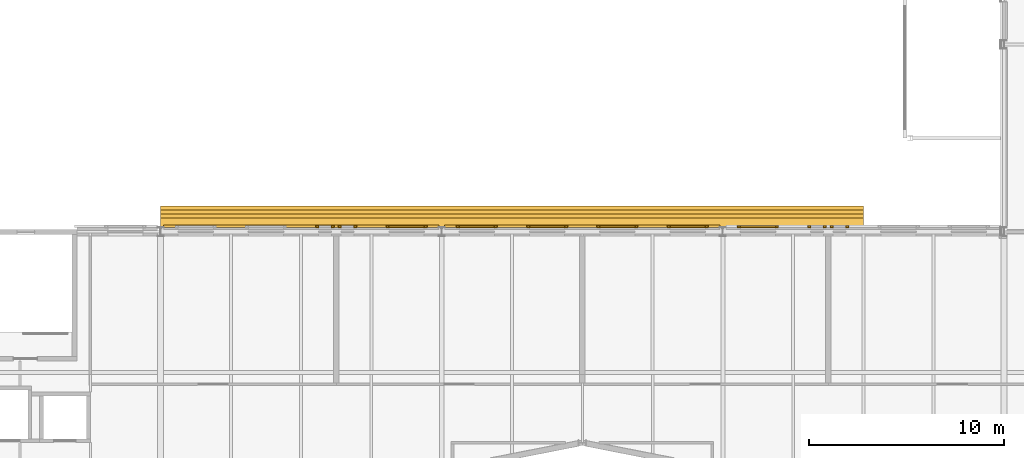
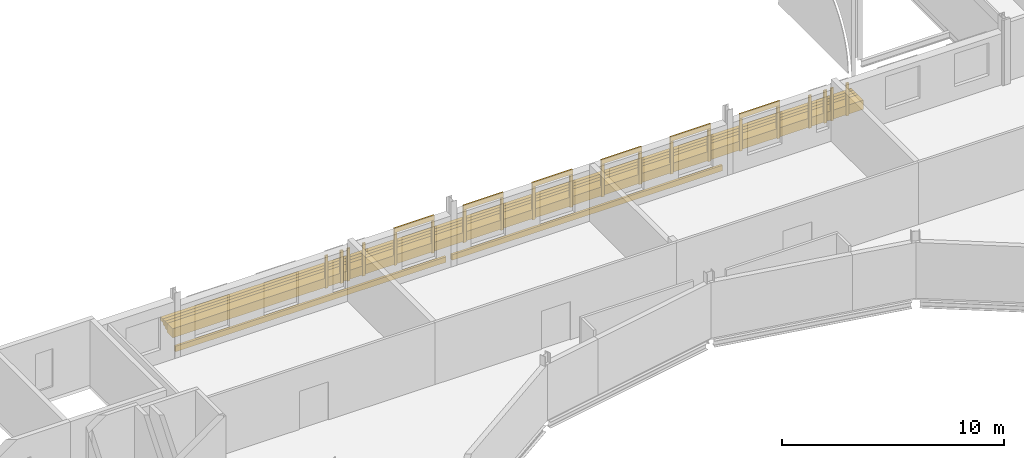
# One storey, part 125 of 142: 32 coverings.
"""IFC4 building model written with IfcOpenShell, lengths in metres."""

from ifc_helpers import new_model, si_unit, direction, frame, origin, origin_2d, place, context, subcontext, project, spatial, rectangle, extrude, material, layer, layer_set, type_object, element, save


model = new_model("IFC4")

# Units and contexts
model_context = context("Model", 3, precision=1e-05, world=origin(), true_north=direction((0.0, 1.0)))
body_context = subcontext(model_context, "Body", "Model", "MODEL_VIEW")
ifc_project = project(units=[si_unit("LENGTHUNIT", "METRE"), si_unit("AREAUNIT", "SQUARE_METRE"), si_unit("VOLUMEUNIT", "CUBIC_METRE"), si_unit("PLANEANGLEUNIT", "RADIAN"), si_unit("MASSUNIT", "GRAM", prefix="KILO")], contexts=[model_context])

# Site, building, storey
site_placement = place(None, origin())
site = spatial("IfcSite", under=ifc_project, at=site_placement, CompositionType="ELEMENT")
building_placement = place(site_placement, origin())
building = spatial("IfcBuilding", under=site, at=building_placement, Name="Kupolbacken Congress Centre", CompositionType="ELEMENT")
storey_placement = place(building_placement, frame((0.0, 0.0, 14.39990234375)))
storey = spatial("IfcBuildingStorey", under=building, at=storey_placement, Name="L04", CompositionType="ELEMENT", Elevation=14.39990234375)

# Coverings
ifc_material_1 = material(Name="Limestone cladding", Category="masonry")
ifc_layer_1 = layer(ifc_material_1, 0.1201171875)
ifc_layer_set_1 = layer_set([ifc_layer_1], Name="Limestone cladding")
covering_type_1 = type_object("IfcCoveringType", Name="CV1 limestone cladding band 120", PredefinedType="CLADDING", material=ifc_layer_set_1)
for number, where, z_axis, x_axis, name in (
    (1, (53.175048828125, 122.659912109375, 0.75), (0.0, 0.0, 1.0), (-1.0, 0.0, 0.0), "E/P/N/L04/443/W1/jl"),
    (2, (51.22509765625, 122.659912109375, 0.75), (0.0, 0.0, 1.0), (-1.0, 0.0, 0.0), "E/P/N/L04/443/W1/jr"),
):
    element("IfcCovering", number, at=place(storey_placement, frame(where, z_axis=z_axis, x_axis=x_axis)), inside=storey, type_object=covering_type_1, Name=name, PredefinedType="CLADDING", context=body_context, shape_type="SweptSolid", body=[
        extrude(rectangle(XDim=0.14990234375, YDim=0.080078125, at=origin_2d()), origin(), (0.0, 0.0, 1.0), 1.800048828125),
    ])
covering_1_placement = place(storey_placement, frame((52.199951171875, 122.659912109375, 2.550048828125), z_axis=(0.0, 0.0, 1.0), x_axis=(-1.0, 0.0, 0.0)))
element("IfcCovering", 3, at=covering_1_placement, inside=storey, type_object=covering_type_1, Name="E/P/N/L04/443/W1/hd", PredefinedType="CLADDING", context=body_context, shape_type="SweptSolid", body=[
    extrude(rectangle(XDim=2.10009765625, YDim=0.080078125, at=origin_2d()), origin(), (0.0, 0.0, 1.0), 0.25),
])
for number, where, z_axis, x_axis, name in (
    (4, (56.77490234375, 122.659912109375, 0.75), (0.0, 0.0, 1.0), (-1.0, 0.0, 0.0), "E/P/N/L04/443/W2/jl"),
    (5, (55.97509765625, 122.659912109375, 0.75), (0.0, 0.0, 1.0), (-1.0, 0.0, 0.0), "E/P/N/L04/443/W2/jr"),
    (6, (55.625, 122.659912109375, 0.75), (0.0, 0.0, 1.0), (-1.0, 0.0, 0.0), "E/P/N/L04/443/W3/jl"),
    (7, (54.824951171875, 122.659912109375, 0.75), (0.0, 0.0, 1.0), (-1.0, 0.0, 0.0), "E/P/N/L04/443/W3/jr"),
):
    element("IfcCovering", number, at=place(storey_placement, frame(where, z_axis=z_axis, x_axis=x_axis)), inside=storey, type_object=covering_type_1, Name=name, PredefinedType="CLADDING", context=body_context, shape_type="SweptSolid", body=[
        extrude(rectangle(XDim=0.14990234375, YDim=0.080078125, at=origin_2d()), origin(), (0.0, 0.0, 1.0), 1.800048828125),
    ])
covering_2_placement = place(storey_placement, frame((43.199951171875, 122.679931640625, 0.0), z_axis=(0.0, 0.0, 1.0), x_axis=(-1.0, 0.0, 0.0)))
element("IfcCovering", 8, at=covering_2_placement, inside=storey, type_object=covering_type_1, Name="E/P/N/L04/444/band", PredefinedType="CLADDING", context=body_context, shape_type="SweptSolid", body=[
    extrude(rectangle(XDim=14.10009765625, YDim=0.1201171875, at=origin_2d()), origin(), (0.0, 0.0, 1.0), 0.300048828125),
])
for number, where, z_axis, x_axis, name in (
    (9, (38.77490234375, 122.659912109375, 0.75), (0.0, 0.0, 1.0), (-1.0, 0.0, 0.0), "E/P/N/L04/444/W1/jl"),
    (10, (36.824951171875, 122.659912109375, 0.75), (0.0, 0.0, 1.0), (-1.0, 0.0, 0.0), "E/P/N/L04/444/W1/jr"),
):
    element("IfcCovering", number, at=place(storey_placement, frame(where, z_axis=z_axis, x_axis=x_axis)), inside=storey, type_object=covering_type_1, Name=name, PredefinedType="CLADDING", context=body_context, shape_type="SweptSolid", body=[
        extrude(rectangle(XDim=0.14990234375, YDim=0.080078125, at=origin_2d()), origin(), (0.0, 0.0, 1.0), 1.800048828125),
    ])
covering_3_placement = place(storey_placement, frame((37.800048828125, 122.659912109375, 2.550048828125), z_axis=(0.0, 0.0, 1.0), x_axis=(-1.0, 0.0, 0.0)))
element("IfcCovering", 11, at=covering_3_placement, inside=storey, type_object=covering_type_1, Name="E/P/N/L04/444/W1/hd", PredefinedType="CLADDING", context=body_context, shape_type="SweptSolid", body=[
    extrude(rectangle(XDim=2.10009765625, YDim=0.080078125, at=origin_2d()), origin(), (0.0, 0.0, 1.0), 0.25),
])
for number, where, z_axis, x_axis, name in (
    (12, (42.375, 122.659912109375, 0.75), (0.0, 0.0, 1.0), (-1.0, 0.0, 0.0), "E/P/N/L04/444/W2/jl"),
    (13, (40.425048828125, 122.659912109375, 0.75), (0.0, 0.0, 1.0), (-1.0, 0.0, 0.0), "E/P/N/L04/444/W2/jr"),
):
    element("IfcCovering", number, at=place(storey_placement, frame(where, z_axis=z_axis, x_axis=x_axis)), inside=storey, type_object=covering_type_1, Name=name, PredefinedType="CLADDING", context=body_context, shape_type="SweptSolid", body=[
        extrude(rectangle(XDim=0.14990234375, YDim=0.080078125, at=origin_2d()), origin(), (0.0, 0.0, 1.0), 1.800048828125),
    ])
covering_4_placement = place(storey_placement, frame((41.39990234375, 122.659912109375, 2.550048828125), z_axis=(0.0, 0.0, 1.0), x_axis=(-1.0, 0.0, 0.0)))
element("IfcCovering", 14, at=covering_4_placement, inside=storey, type_object=covering_type_1, Name="E/P/N/L04/444/W2/hd", PredefinedType="CLADDING", context=body_context, shape_type="SweptSolid", body=[
    extrude(rectangle(XDim=2.10009765625, YDim=0.080078125, at=origin_2d()), origin(), (0.0, 0.0, 1.0), 0.25),
])
for number, where, z_axis, x_axis, name in (
    (15, (45.97509765625, 122.659912109375, 0.75), (0.0, 0.0, 1.0), (-1.0, 0.0, 0.0), "E/P/N/L04/444/W3/jl"),
    (16, (44.02490234375, 122.659912109375, 0.75), (0.0, 0.0, 1.0), (-1.0, 0.0, 0.0), "E/P/N/L04/444/W3/jr"),
):
    element("IfcCovering", number, at=place(storey_placement, frame(where, z_axis=z_axis, x_axis=x_axis)), inside=storey, type_object=covering_type_1, Name=name, PredefinedType="CLADDING", context=body_context, shape_type="SweptSolid", body=[
        extrude(rectangle(XDim=0.14990234375, YDim=0.080078125, at=origin_2d()), origin(), (0.0, 0.0, 1.0), 1.800048828125),
    ])
covering_5_placement = place(storey_placement, frame((45.0, 122.659912109375, 2.550048828125), z_axis=(0.0, 0.0, 1.0), x_axis=(-1.0, 0.0, 0.0)))
element("IfcCovering", 17, at=covering_5_placement, inside=storey, type_object=covering_type_1, Name="E/P/N/L04/444/W3/hd", PredefinedType="CLADDING", context=body_context, shape_type="SweptSolid", body=[
    extrude(rectangle(XDim=2.10009765625, YDim=0.080078125, at=origin_2d()), origin(), (0.0, 0.0, 1.0), 0.25),
])
for number, where, z_axis, x_axis, name in (
    (18, (49.574951171875, 122.659912109375, 0.75), (0.0, 0.0, 1.0), (-1.0, 0.0, 0.0), "E/P/N/L04/444/W4/jl"),
    (19, (47.625, 122.659912109375, 0.75), (0.0, 0.0, 1.0), (-1.0, 0.0, 0.0), "E/P/N/L04/444/W4/jr"),
):
    element("IfcCovering", number, at=place(storey_placement, frame(where, z_axis=z_axis, x_axis=x_axis)), inside=storey, type_object=covering_type_1, Name=name, PredefinedType="CLADDING", context=body_context, shape_type="SweptSolid", body=[
        extrude(rectangle(XDim=0.14990234375, YDim=0.080078125, at=origin_2d()), origin(), (0.0, 0.0, 1.0), 1.800048828125),
    ])
covering_6_placement = place(storey_placement, frame((48.60009765625, 122.659912109375, 2.550048828125), z_axis=(0.0, 0.0, 1.0), x_axis=(-1.0, 0.0, 0.0)))
element("IfcCovering", 20, at=covering_6_placement, inside=storey, type_object=covering_type_1, Name="E/P/N/L04/444/W4/hd", PredefinedType="CLADDING", context=body_context, shape_type="SweptSolid", body=[
    extrude(rectangle(XDim=2.10009765625, YDim=0.080078125, at=origin_2d()), origin(), (0.0, 0.0, 1.0), 0.25),
])
covering_7_placement = place(storey_placement, frame((28.800048828125, 122.679931640625, 0.0), z_axis=(0.0, 0.0, 1.0), x_axis=(-1.0, 0.0, 0.0)))
element("IfcCovering", 21, at=covering_7_placement, inside=storey, type_object=covering_type_1, Name="E/P/N/L04/445/band", PredefinedType="CLADDING", context=body_context, shape_type="SweptSolid", body=[
    extrude(rectangle(XDim=14.10009765625, YDim=0.1201171875, at=origin_2d()), origin(), (0.0, 0.0, 1.0), 0.300048828125),
])
for number, where, z_axis, x_axis, name in (
    (22, (31.574951171875, 122.659912109375, 0.75), (0.0, 0.0, 1.0), (-1.0, 0.0, 0.0), "E/P/N/L04/445/W3/jl"),
    (23, (30.77490234375, 122.659912109375, 0.75), (0.0, 0.0, 1.0), (-1.0, 0.0, 0.0), "E/P/N/L04/445/W3/jr"),
    (24, (30.425048828125, 122.659912109375, 0.75), (0.0, 0.0, 1.0), (-1.0, 0.0, 0.0), "E/P/N/L04/445/W4/jl"),
    (25, (29.625, 122.659912109375, 0.75), (0.0, 0.0, 1.0), (-1.0, 0.0, 0.0), "E/P/N/L04/445/W4/jr"),
    (26, (35.175048828125, 122.659912109375, 0.75), (0.0, 0.0, 1.0), (-1.0, 0.0, 0.0), "E/P/N/L04/445/W5/jl"),
    (27, (33.22509765625, 122.659912109375, 0.75), (0.0, 0.0, 1.0), (-1.0, 0.0, 0.0), "E/P/N/L04/445/W5/jr"),
):
    element("IfcCovering", number, at=place(storey_placement, frame(where, z_axis=z_axis, x_axis=x_axis)), inside=storey, type_object=covering_type_1, Name=name, PredefinedType="CLADDING", context=body_context, shape_type="SweptSolid", body=[
        extrude(rectangle(XDim=0.14990234375, YDim=0.080078125, at=origin_2d()), origin(), (0.0, 0.0, 1.0), 1.800048828125),
    ])
covering_8_placement = place(storey_placement, frame((34.199951171875, 122.659912109375, 2.550048828125), z_axis=(0.0, 0.0, 1.0), x_axis=(-1.0, 0.0, 0.0)))
element("IfcCovering", 28, at=covering_8_placement, inside=storey, type_object=covering_type_1, Name="E/P/N/L04/445/W5/hd", PredefinedType="CLADDING", context=body_context, shape_type="SweptSolid", body=[
    extrude(rectangle(XDim=2.10009765625, YDim=0.080078125, at=origin_2d()), origin(), (0.0, 0.0, 1.0), 0.25),
])
ifc_material_2 = material(Name="Limestone cladding", Category="masonry")
ifc_layer_2 = layer(ifc_material_2, 0.5)
ifc_layer_set_2 = layer_set([ifc_layer_2], Name="Limestone cladding")
covering_type_2 = type_object("IfcCoveringType", Name="CV10 limestone cornice 500", PredefinedType="CLADDING", material=ifc_layer_set_2)
covering_9_placement = place(storey_placement, frame((39.60009765625, 122.8701171875, 0.820068359375), z_axis=(0.0, 0.0, 1.0), x_axis=(1.0, 0.0, 0.0)))
element("IfcCovering", 29, at=covering_9_placement, inside=storey, type_object=covering_type_2, Name="F/P/N/cornice", PredefinedType="CLADDING", context=body_context, shape_type="SweptSolid", body=[
    extrude(rectangle(XDim=36.0, YDim=0.5, at=origin_2d()), origin(), (0.0, 0.0, 1.0), 0.5),
])
ifc_material_3 = material(Name="Limestone cladding", Category="masonry")
ifc_layer_3 = layer(ifc_material_3, 0.199951171875)
ifc_layer_set_3 = layer_set([ifc_layer_3], Name="Limestone cladding")
covering_type_3 = type_object("IfcCoveringType", Name="CV9 limestone drum arch frame 200", PredefinedType="CLADDING", material=ifc_layer_set_3)
covering_10_placement = place(storey_placement, frame((39.60009765625, 123.219970703125, 0.920166015625), z_axis=(0.0, 0.0, 1.0), x_axis=(1.0, 0.0, 0.0)))
element("IfcCovering", 30, at=covering_10_placement, inside=storey, type_object=covering_type_3, Name="F/HR/P/N/cornice2", PredefinedType="CLADDING", context=body_context, shape_type="SweptSolid", body=[
    extrude(rectangle(XDim=36.0, YDim=0.199951171875, at=origin_2d()), origin(), (0.0, 0.0, 1.0), 0.39990234375),
])
covering_11_placement = place(storey_placement, frame((39.60009765625, 123.419921875, 1.02001953125), z_axis=(0.0, 0.0, 1.0), x_axis=(1.0, 0.0, 0.0)))
element("IfcCovering", 31, at=covering_11_placement, inside=storey, type_object=covering_type_3, Name="F/HR/P/N/cornice3", PredefinedType="CLADDING", context=body_context, shape_type="SweptSolid", body=[
    extrude(rectangle(XDim=36.0, YDim=0.199951171875, at=origin_2d()), origin(), (0.0, 0.0, 1.0), 0.300048828125),
])
covering_12_placement = place(storey_placement, frame((39.60009765625, 123.6201171875, 1.1201171875), z_axis=(0.0, 0.0, 1.0), x_axis=(1.0, 0.0, 0.0)))
element("IfcCovering", 32, at=covering_12_placement, inside=storey, type_object=covering_type_3, Name="F/HR/P/N/cornice4", PredefinedType="CLADDING", context=body_context, shape_type="SweptSolid", body=[
    extrude(rectangle(XDim=36.0, YDim=0.199951171875, at=origin_2d()), origin(), (0.0, 0.0, 1.0), 0.199951171875),
])

save(model, "model.ifc")
